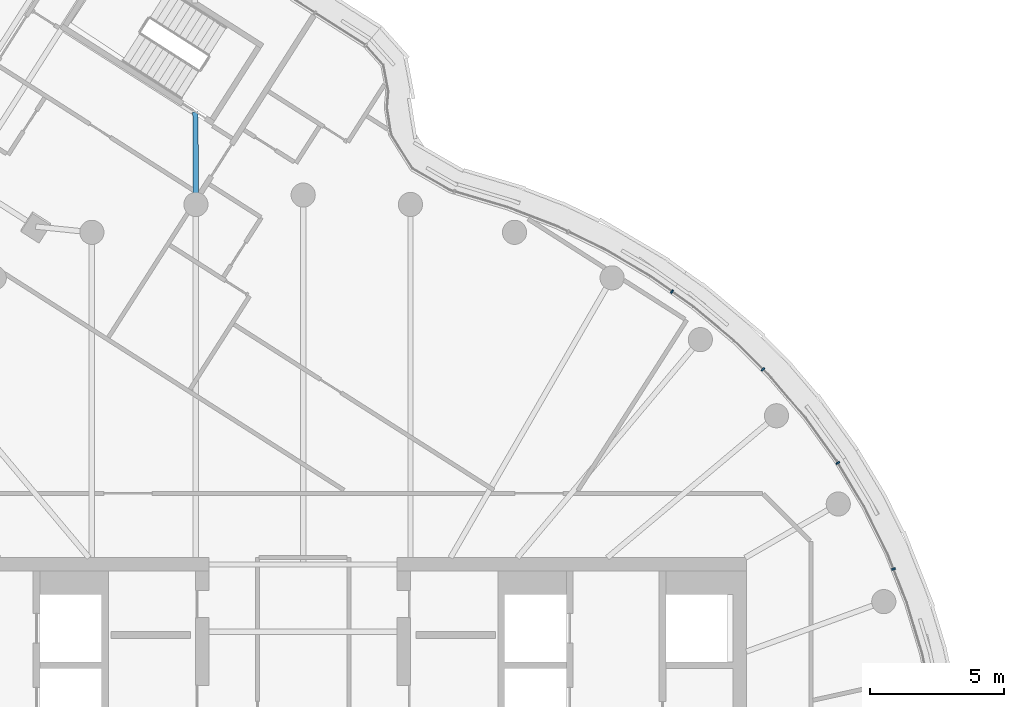
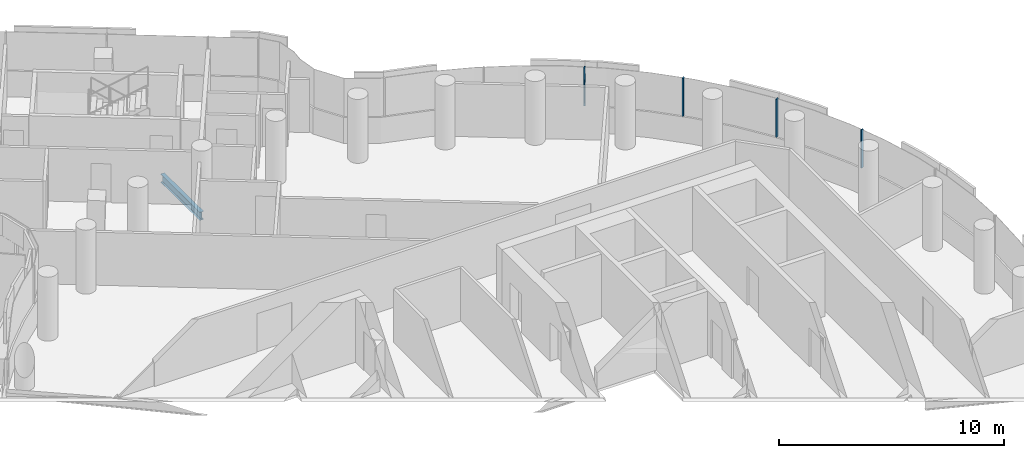
# One storey, part 13 of 27: 4 members, 1 beam, 1 element without a shape of its own.
"""IFC4 building model written with IfcOpenShell, lengths in metres."""

from ifc_helpers import new_model, si_unit, direction, frame, origin, origin_2d, place, context, subcontext, project, spatial, rectangle, i_section, extrude, material, layer, layer_set, material_profile, profile_set, type_object, element, aggregate, save


model = new_model("IFC4")

# Units and contexts
model_context = context("Model", 3, precision=1e-05, world=origin(), true_north=direction((0.0, 1.0)))
body_context = subcontext(model_context, "Body", "Model", "MODEL_VIEW")
ifc_project = project(units=[si_unit("LENGTHUNIT", "METRE"), si_unit("AREAUNIT", "SQUARE_METRE"), si_unit("VOLUMEUNIT", "CUBIC_METRE"), si_unit("PLANEANGLEUNIT", "RADIAN"), si_unit("MASSUNIT", "GRAM", prefix="KILO")], contexts=[model_context])

# Site, building, storey
site_placement = place(None, origin())
site = spatial("IfcSite", under=ifc_project, at=site_placement, CompositionType="ELEMENT")
building_placement = place(site_placement, origin())
building = spatial("IfcBuilding", under=site, at=building_placement, Name="Tamarind Cross Interchange Tower", CompositionType="ELEMENT")
storey_placement = place(building_placement, frame((0.0, 0.0, 241.5)))
storey = spatial("IfcBuildingStorey", under=building, at=storey_placement, Name="L61", CompositionType="ELEMENT", Elevation=241.5)

# Beam
ifc_material_1 = material(Name="Steel Q355B", Category="steel")
ifc_material_profile_1 = material_profile(ifc_material_1, i_section(OverallWidth=0.198974609375, OverallDepth=0.446044921875, WebThickness=0.008056640625, FlangeThickness=0.011962890625, FilletRadius=0.012939453125, at=origin_2d()), Name="HN 446x199x8x12")
ifc_profile_set_1 = profile_set([ifc_material_profile_1], Name="Steel Q355B")
beam_type = type_object("IfcBeamType", Name="Composite beam HN 446x199x8x12 Q355B", PredefinedType="BEAM", material=ifc_profile_set_1)
beam_placement = place(storey_placement, frame((-4.012451171875, 26.101806640625, -0.363037109375), z_axis=(0.005376266386, -0.999985547775, 0.0), x_axis=(0.999985547775, 0.005376266386, 0.0)))
element("IfcBeam", 1, at=beam_placement, inside=storey, type_object=beam_type, Name="Beam N-linkemt1", PredefinedType="BEAM", context=body_context, shape_type="SweptSolid", body=[
    extrude(i_section(OverallWidth=0.198974609375, OverallDepth=0.446044921875, WebThickness=0.008056640625, FlangeThickness=0.011962890625, FilletRadius=0.012939453125, at=origin_2d()), origin(), (0.0, 0.0, 1.0), 3.451171875),
])

# Curtain wall, members
ifc_material_2 = material(Name="Aluminium 6063-T6", Category="aluminium")
ifc_layer = layer(ifc_material_2, 0.139892578125)
ifc_layer_set = layer_set([ifc_layer], Name="Aluminium 6063-T6")
curtain_wall_type = type_object("IfcCurtainWallType", Name="Hotel curtain wall, 4.5 m bays", PredefinedType="NOTDEFINED", material=ifc_layer_set)
curtain_wall_placement = place(storey_placement, origin())
curtain_wall = element("IfcCurtainWall", 2, at=curtain_wall_placement, inside=storey, type_object=curtain_wall_type, Name="CWS-L61-02", PredefinedType="NOTDEFINED")
ifc_material_profile_2 = material_profile(ifc_material_2, rectangle(XDim=0.06005859375, YDim=0.139892578125, at=origin_2d()), Name="Mullion CW2")
ifc_profile_set_2 = profile_set([ifc_material_profile_2], Name="Aluminium 6063-T6")
member_type = type_object("IfcMemberType", Name="Mullion CW2", PredefinedType="MULLION", material=ifc_profile_set_2)
member_1_placement = place(storey_placement, frame((21.97607421875, 9.080810546875, 1.39990234375), z_axis=(0.0, 0.0, 1.0), x_axis=(-0.367513773146, 0.930018078613, 0.0)))
member_1 = element("IfcMember", 3, at=member_1_placement, type_object=member_type, Name="CWM-L61-02-16", PredefinedType="MULLION", context=body_context, shape_type="SweptSolid", body=[
    extrude(rectangle(XDim=0.06005859375, YDim=0.139892578125, at=origin_2d()), origin(), (0.0, 0.0, 1.0), 2.06005859375),
])
member_2_placement = place(storey_placement, frame((19.906494140625, 13.03125, 1.39990234375), z_axis=(0.0, 0.0, 1.0), x_axis=(-0.515577308909, 0.856843065292, 0.0)))
member_2 = element("IfcMember", 4, at=member_2_placement, type_object=member_type, Name="CWM-L61-02-17", PredefinedType="MULLION", context=body_context, shape_type="SweptSolid", body=[
    extrude(rectangle(XDim=0.06005859375, YDim=0.139892578125, at=origin_2d()), origin(), (0.0, 0.0, 1.0), 2.06005859375),
])
member_3_placement = place(storey_placement, frame((17.116455078125, 16.510009765625, 1.39990234375), z_axis=(0.0, 0.0, 1.0), x_axis=(-0.710143317658, 0.704057148523, 0.0)))
member_3 = element("IfcMember", 5, at=member_3_placement, type_object=member_type, Name="CWM-L61-02-18", PredefinedType="MULLION", context=body_context, shape_type="SweptSolid", body=[
    extrude(rectangle(XDim=0.06005859375, YDim=0.139892578125, at=origin_2d()), origin(), (0.0, 0.0, 1.0), 2.06005859375),
])
member_4_placement = place(storey_placement, frame((13.72998046875, 19.410400390625, 1.39990234375), z_axis=(0.0, 0.0, 1.0), x_axis=(-0.816341886298, 0.577568978284, 0.0)))
member_4 = element("IfcMember", 6, at=member_4_placement, type_object=member_type, Name="CWM-L61-02-19", PredefinedType="MULLION", context=body_context, shape_type="SweptSolid", body=[
    extrude(rectangle(XDim=0.06005859375, YDim=0.139892578125, at=origin_2d()), origin(), (0.0, 0.0, 1.0), 2.06005859375),
])
aggregate(curtain_wall, [member_1, member_2, member_3, member_4])

save(model, "model.ifc")
